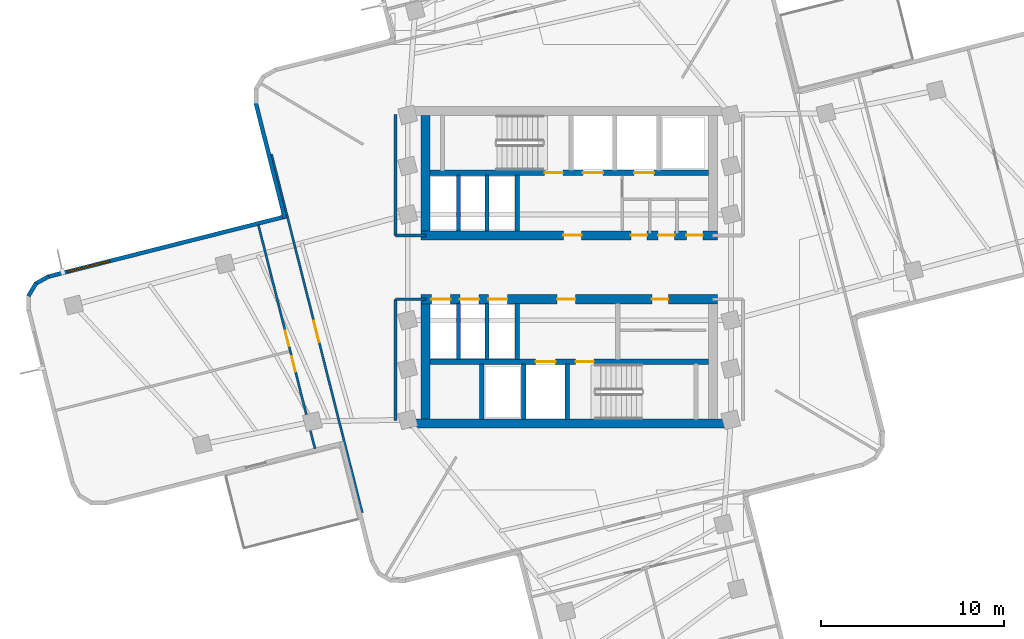
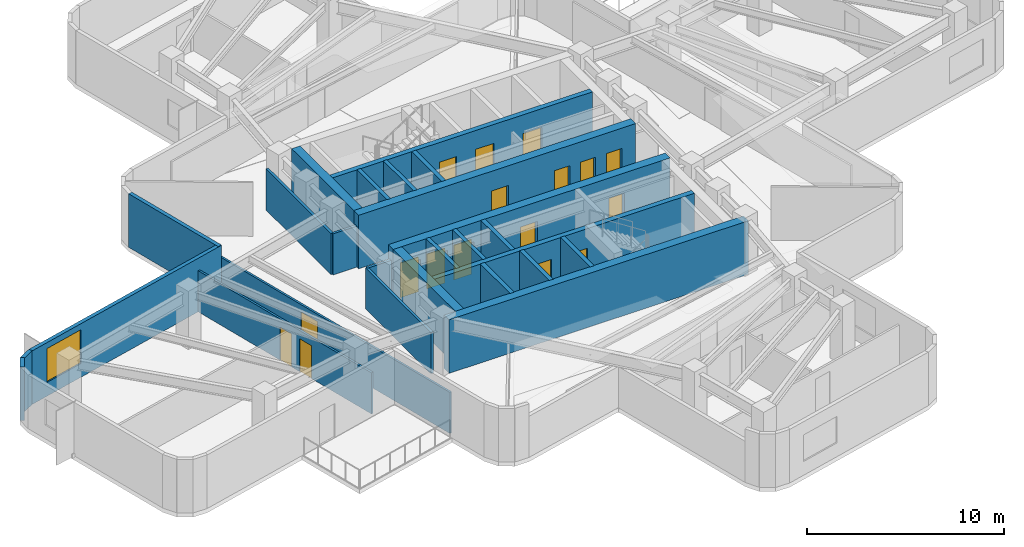
# One storey, part 3 of 9: 26 walls, 17 doors, 1 window, 18 openings.
"""IFC4 building model written with IfcOpenShell, lengths in metres."""

from ifc_helpers import new_model, si_unit, direction, frame, frame_2d, origin, place, context, subcontext, project, spatial, rectangle, extrude, material, layer, layer_set, type_object, element, fill, save


model = new_model("IFC4")

# Units and contexts
model_context = context("Model", 3, precision=1e-05, world=origin(), true_north=direction((0.0, 1.0)))
body_context = subcontext(model_context, "Body", "Model", "MODEL_VIEW")
ifc_project = project(units=[si_unit("LENGTHUNIT", "METRE"), si_unit("AREAUNIT", "SQUARE_METRE"), si_unit("VOLUMEUNIT", "CUBIC_METRE"), si_unit("PLANEANGLEUNIT", "RADIAN"), si_unit("MASSUNIT", "GRAM", prefix="KILO")], contexts=[model_context])

# Site, building, storey
site_placement = place(None, origin())
site = spatial("IfcSite", under=ifc_project, at=site_placement, CompositionType="ELEMENT")
building_placement = place(site_placement, origin())
building = spatial("IfcBuilding", under=site, at=building_placement, Name="Solmarez Civic Tower", CompositionType="ELEMENT")
storey_placement = place(building_placement, frame((0.0, 0.0, 130.679931640625)))
storey = spatial("IfcBuildingStorey", under=building, at=storey_placement, Name="L34", CompositionType="ELEMENT", Elevation=130.679931640625)

# Wall, openings, doors
ifc_material_1 = material(Name="Concrete C60/75", Category="concrete")
ifc_layer_1 = layer(ifc_material_1, 0.5)
ifc_layer_set_1 = layer_set([ifc_layer_1], Name="Concrete C60/75")
wall_type_1 = type_object("IfcWallType", Name="WALL-CORE-500", PredefinedType="SHEAR", material=ifc_layer_set_1)
wall_1_placement = place(storey_placement, frame((8.1201171875, 1.75, 0.0), z_axis=(0.0, 0.0, 1.0), x_axis=(-1.0, 0.0, 0.0)))
wall_1 = element("IfcWall", 1, at=wall_1_placement, inside=storey, type_object=wall_type_1, Name="L34 Split-Core Structural Wall NCW-S-L34", PredefinedType="SHEAR", context=body_context, shape_type="SweptSolid", body=[
    extrude(rectangle(XDim=16.240234375, YDim=0.5, at=frame_2d((8.1201171875, 0.0))), origin(), (0.0, 0.0, 1.0), 3.320068359375),
])
opening_1_placement = place(wall_1_placement, frame((7.449951171875, 0.0, 0.0)))
opening_1 = element("IfcOpeningElement", 2, at=opening_1_placement, cuts=wall_1, Name="Opening D-04", PredefinedType="OPENING", context=body_context, shape_type="SweptSolid", body=[
    extrude(rectangle(XDim=1.0, YDim=2.10009765625, at=frame_2d((0.5, 1.050048828125))), frame((0.0, 0.260009765625, 0.0), z_axis=(0.0, -1.0, 0.0), x_axis=(1.0, 0.0, 0.0)), (0.0, 0.0, 1.0), 0.52001953125),
])
opening_2_placement = place(wall_1_placement, frame((3.85009765625, 0.0, 0.0)))
opening_2 = element("IfcOpeningElement", 3, at=opening_2_placement, cuts=wall_1, Name="Opening D-09", PredefinedType="OPENING", context=body_context, shape_type="SweptSolid", body=[
    extrude(rectangle(XDim=0.89990234375, YDim=2.06005859375, at=frame_2d((0.449951171875, 1.030029296875))), frame((0.0, 0.260009765625, 0.0), z_axis=(0.0, -1.0, 0.0), x_axis=(1.0, 0.0, 0.0)), (0.0, 0.0, 1.0), 0.52001953125),
])
opening_3_placement = place(wall_1_placement, frame((2.35009765625, 0.0, 0.0)))
opening_3 = element("IfcOpeningElement", 4, at=opening_3_placement, cuts=wall_1, Name="Opening D-09", PredefinedType="OPENING", context=body_context, shape_type="SweptSolid", body=[
    extrude(rectangle(XDim=0.89990234375, YDim=2.06005859375, at=frame_2d((0.449951171875, 1.030029296875))), frame((0.0, 0.260009765625, 0.0), z_axis=(0.0, -1.0, 0.0), x_axis=(1.0, 0.0, 0.0)), (0.0, 0.0, 1.0), 0.52001953125),
])
opening_4_placement = place(wall_1_placement, frame((0.800048828125, 0.0, 0.0)))
opening_4 = element("IfcOpeningElement", 5, at=opening_4_placement, cuts=wall_1, Name="Opening D-09", PredefinedType="OPENING", context=body_context, shape_type="SweptSolid", body=[
    extrude(rectangle(XDim=0.89990234375, YDim=2.06005859375, at=frame_2d((0.449951171875, 1.030029296875))), frame((0.0, 0.260009765625, 0.0), z_axis=(0.0, -1.0, 0.0), x_axis=(1.0, 0.0, 0.0)), (0.0, 0.0, 1.0), 0.52001953125),
])
ifc_material_2 = material(Name="Steel-Faced Acoustic Fire Door", Category="steel")
door_type_1 = type_object("IfcDoorType", Name="DOOR-FD60-1000", OperationType="NOTDEFINED", PredefinedType="DOOR", material=ifc_material_2)
door_1_placement = place(opening_1_placement, origin())
door_1 = element("IfcDoor", 6, at=door_1_placement, inside=storey, type_object=door_type_1, Name="L34 North Firefighting Lobby Door", OperationType="SINGLE_SWING_LEFT", OverallHeight=2.10009765625, OverallWidth=1.0, PredefinedType="DOOR", context=body_context, shape_type="SweptSolid", body=[
    extrude(rectangle(XDim=1.0, YDim=2.10009765625, at=frame_2d((0.5, 1.050048828125))), frame((0.0, 0.02490234375, 0.0), z_axis=(0.0, -1.0, 0.0), x_axis=(1.0, 0.0, 0.0)), (0.0, 0.0, 1.0), 0.050048828125),
])
fill(opening_1, door_1)
ifc_material_3 = material(Name="Fire-Rated Service Core Door", Category="wood")
door_type_2 = type_object("IfcDoorType", Name="DOOR-FD60-900", OperationType="NOTDEFINED", PredefinedType="DOOR", material=ifc_material_3)
door_2_placement = place(opening_2_placement, origin())
door_2 = element("IfcDoor", 7, at=door_2_placement, inside=storey, type_object=door_type_2, Name="L34 Core WC Door", OperationType="SINGLE_SWING_RIGHT", OverallHeight=2.06005859375, OverallWidth=0.89990234375, PredefinedType="DOOR", context=body_context, shape_type="SweptSolid", body=[
    extrude(rectangle(XDim=0.89990234375, YDim=2.06005859375, at=frame_2d((0.449951171875, 1.030029296875))), frame((0.0, 0.02490234375, 0.0), z_axis=(0.0, -1.0, 0.0), x_axis=(1.0, 0.0, 0.0)), (0.0, 0.0, 1.0), 0.050048828125),
])
fill(opening_2, door_2)
door_3_placement = place(opening_3_placement, origin())
door_3 = element("IfcDoor", 8, at=door_3_placement, inside=storey, type_object=door_type_2, Name="L34 Core CL Door", OperationType="SINGLE_SWING_LEFT", OverallHeight=2.06005859375, OverallWidth=0.89990234375, PredefinedType="DOOR", context=body_context, shape_type="SweptSolid", body=[
    extrude(rectangle(XDim=0.89990234375, YDim=2.06005859375, at=frame_2d((0.449951171875, 1.030029296875))), frame((0.0, 0.02490234375, 0.0), z_axis=(0.0, -1.0, 0.0), x_axis=(1.0, 0.0, 0.0)), (0.0, 0.0, 1.0), 0.050048828125),
])
fill(opening_3, door_3)
door_4_placement = place(opening_4_placement, origin())
door_4 = element("IfcDoor", 9, at=door_4_placement, inside=storey, type_object=door_type_2, Name="L34 Core IT Door", OperationType="SINGLE_SWING_LEFT", OverallHeight=2.06005859375, OverallWidth=0.89990234375, PredefinedType="DOOR", context=body_context, shape_type="SweptSolid", body=[
    extrude(rectangle(XDim=0.89990234375, YDim=2.06005859375, at=frame_2d((0.449951171875, 1.030029296875))), frame((0.0, 0.02490234375, 0.0), z_axis=(0.0, -1.0, 0.0), x_axis=(1.0, 0.0, 0.0)), (0.0, 0.0, 1.0), 0.050048828125),
])
fill(opening_4, door_4)

# Walls
wall_2_placement = place(storey_placement, frame((-7.8701171875, 2.0, 0.0), z_axis=(0.0, 0.0, 1.0), x_axis=(0.0, 1.0, 0.0)))
element("IfcWall", 10, at=wall_2_placement, inside=storey, type_object=wall_type_1, Name="L34 Split-Core Structural Wall NCW-W-L34", PredefinedType="SHEAR", context=body_context, shape_type="SweptSolid", body=[
    extrude(rectangle(XDim=6.31005859375, YDim=0.5, at=frame_2d((3.155029296875, 0.0))), origin(), (0.0, 0.0, 1.0), 3.320068359375),
])
wall_3_placement = place(storey_placement, frame((8.780029296875, -8.56005859375, 0.0), z_axis=(0.0, 0.0, 1.0), x_axis=(-1.0, 0.0, 0.0)))
element("IfcWall", 11, at=wall_3_placement, inside=storey, type_object=wall_type_1, Name="L34 Split-Core Structural Wall SCW-S-L34", PredefinedType="SHEAR", context=body_context, shape_type="SweptSolid", body=[
    extrude(rectangle(XDim=17.56005859375, YDim=0.5, at=frame_2d((8.780029296875, 0.0))), origin(), (0.0, 0.0, 1.0), 3.320068359375),
])

# Wall, openings, doors
wall_4_placement = place(storey_placement, frame((-8.1201171875, -1.75, 0.0), z_axis=(0.0, 0.0, 1.0), x_axis=(1.0, 0.0, 0.0)))
wall_4 = element("IfcWall", 12, at=wall_4_placement, inside=storey, type_object=wall_type_1, Name="L34 Split-Core Structural Wall SCW-N-L34", PredefinedType="SHEAR", context=body_context, shape_type="SweptSolid", body=[
    extrude(rectangle(XDim=16.240234375, YDim=0.5, at=frame_2d((8.1201171875, 0.0))), origin(), (0.0, 0.0, 1.0), 3.320068359375),
])
opening_5_placement = place(wall_4_placement, frame((7.449951171875, 0.0, 0.0)))
opening_5 = element("IfcOpeningElement", 13, at=opening_5_placement, cuts=wall_4, Name="Opening D-04", PredefinedType="OPENING", context=body_context, shape_type="SweptSolid", body=[
    extrude(rectangle(XDim=1.0, YDim=2.10009765625, at=frame_2d((0.5, 1.050048828125))), frame((0.0, 0.260009765625, 0.0), z_axis=(0.0, -1.0, 0.0), x_axis=(1.0, 0.0, 0.0)), (0.0, 0.0, 1.0), 0.52001953125),
])
opening_6_placement = place(wall_4_placement, frame((12.64990234375, 0.0, 0.0)))
opening_6 = element("IfcOpeningElement", 14, at=opening_6_placement, cuts=wall_4, Name="Opening D-09", PredefinedType="OPENING", context=body_context, shape_type="SweptSolid", body=[
    extrude(rectangle(XDim=0.89990234375, YDim=2.06005859375, at=frame_2d((0.449951171875, 1.030029296875))), frame((0.0, 0.260009765625, 0.0), z_axis=(0.0, -1.0, 0.0), x_axis=(1.0, 0.0, 0.0)), (0.0, 0.0, 1.0), 0.52001953125),
])
opening_7_placement = place(wall_4_placement, frame((0.56494140625, 0.0, 0.0)))
opening_7 = element("IfcOpeningElement", 15, at=opening_7_placement, cuts=wall_4, Name="Opening LD-01", PredefinedType="OPENING", context=body_context, shape_type="SweptSolid", body=[
    extrude(rectangle(XDim=1.050048828125, YDim=2.14990234375, at=frame_2d((0.52490234375, 1.074951171875))), frame((0.0, 0.260009765625, 0.0), z_axis=(0.0, -1.0, 0.0), x_axis=(1.0, 0.0, 0.0)), (0.0, 0.0, 1.0), 0.52001953125),
])
opening_8_placement = place(wall_4_placement, frame((2.125, 0.0, 0.0)))
opening_8 = element("IfcOpeningElement", 16, at=opening_8_placement, cuts=wall_4, Name="Opening LD-01", PredefinedType="OPENING", context=body_context, shape_type="SweptSolid", body=[
    extrude(rectangle(XDim=1.050048828125, YDim=2.14990234375, at=frame_2d((0.52490234375, 1.074951171875))), frame((0.0, 0.260009765625, 0.0), z_axis=(0.0, -1.0, 0.0), x_axis=(1.0, 0.0, 0.0)), (0.0, 0.0, 1.0), 0.52001953125),
])
opening_9_placement = place(wall_4_placement, frame((3.68505859375, 0.0, 0.0)))
opening_9 = element("IfcOpeningElement", 17, at=opening_9_placement, cuts=wall_4, Name="Opening LD-01", PredefinedType="OPENING", context=body_context, shape_type="SweptSolid", body=[
    extrude(rectangle(XDim=1.050048828125, YDim=2.14990234375, at=frame_2d((0.52490234375, 1.074951171875))), frame((0.0, 0.260009765625, 0.0), z_axis=(0.0, -1.0, 0.0), x_axis=(1.0, 0.0, 0.0)), (0.0, 0.0, 1.0), 0.52001953125),
])
door_5_placement = place(opening_5_placement, origin())
door_5 = element("IfcDoor", 18, at=door_5_placement, inside=storey, type_object=door_type_1, Name="L34 South Firefighting Lobby Door", OperationType="SINGLE_SWING_RIGHT", OverallHeight=2.10009765625, OverallWidth=1.0, PredefinedType="DOOR", context=body_context, shape_type="SweptSolid", body=[
    extrude(rectangle(XDim=1.0, YDim=2.10009765625, at=frame_2d((0.5, 1.050048828125))), frame((0.0, 0.02490234375, 0.0), z_axis=(0.0, -1.0, 0.0), x_axis=(1.0, 0.0, 0.0)), (0.0, 0.0, 1.0), 0.050048828125),
])
fill(opening_5, door_5)
door_6_placement = place(opening_6_placement, origin())
door_6 = element("IfcDoor", 19, at=door_6_placement, inside=storey, type_object=door_type_2, Name="L34 Freed Hoistway Mailroom Door", OperationType="SINGLE_SWING_LEFT", OverallHeight=2.06005859375, OverallWidth=0.89990234375, PredefinedType="DOOR", context=body_context, shape_type="SweptSolid", body=[
    extrude(rectangle(XDim=0.89990234375, YDim=2.06005859375, at=frame_2d((0.449951171875, 1.030029296875))), frame((0.0, 0.02490234375, 0.0), z_axis=(0.0, -1.0, 0.0), x_axis=(1.0, 0.0, 0.0)), (0.0, 0.0, 1.0), 0.050048828125),
])
fill(opening_6, door_6)
ifc_material_4 = material(Name="Bronze Passenger Lift Landing Sliding Door", Category="aluminium")
door_type_3 = type_object("IfcDoorType", Name="DOOR-LD-PAX-1050", OperationType="DOUBLE_DOOR_SLIDING", PredefinedType="DOOR", material=ifc_material_4)
door_7_placement = place(opening_7_placement, origin())
door_7 = element("IfcDoor", 20, at=door_7_placement, inside=storey, type_object=door_type_3, Name="L34 Mid-Rise Lift Landing Door PL-M1", OperationType="DOUBLE_DOOR_SLIDING", OverallHeight=2.14990234375, OverallWidth=1.050048828125, PredefinedType="DOOR", context=body_context, shape_type="SweptSolid", body=[
    extrude(rectangle(XDim=1.050048828125, YDim=2.14990234375, at=frame_2d((0.52490234375, 1.074951171875))), frame((0.0, 0.02490234375, 0.0), z_axis=(0.0, -1.0, 0.0), x_axis=(1.0, 0.0, 0.0)), (0.0, 0.0, 1.0), 0.050048828125),
])
fill(opening_7, door_7)
door_8_placement = place(opening_8_placement, origin())
door_8 = element("IfcDoor", 21, at=door_8_placement, inside=storey, type_object=door_type_3, Name="L34 Mid-Rise Lift Landing Door PL-M2", OperationType="DOUBLE_DOOR_SLIDING", OverallHeight=2.14990234375, OverallWidth=1.050048828125, PredefinedType="DOOR", context=body_context, shape_type="SweptSolid", body=[
    extrude(rectangle(XDim=1.050048828125, YDim=2.14990234375, at=frame_2d((0.52490234375, 1.074951171875))), frame((0.0, 0.02490234375, 0.0), z_axis=(0.0, -1.0, 0.0), x_axis=(1.0, 0.0, 0.0)), (0.0, 0.0, 1.0), 0.050048828125),
])
fill(opening_8, door_8)
door_9_placement = place(opening_9_placement, origin())
door_9 = element("IfcDoor", 22, at=door_9_placement, inside=storey, type_object=door_type_3, Name="L34 Mid-Rise Lift Landing Door PL-M3", OperationType="DOUBLE_DOOR_SLIDING", OverallHeight=2.14990234375, OverallWidth=1.050048828125, PredefinedType="DOOR", context=body_context, shape_type="SweptSolid", body=[
    extrude(rectangle(XDim=1.050048828125, YDim=2.14990234375, at=frame_2d((0.52490234375, 1.074951171875))), frame((0.0, 0.02490234375, 0.0), z_axis=(0.0, -1.0, 0.0), x_axis=(1.0, 0.0, 0.0)), (0.0, 0.0, 1.0), 0.050048828125),
])
fill(opening_9, door_9)

# Walls
wall_5_placement = place(storey_placement, frame((-7.8701171875, -8.31005859375, 0.0), z_axis=(0.0, 0.0, 1.0), x_axis=(0.0, 1.0, 0.0)))
element("IfcWall", 23, at=wall_5_placement, inside=storey, type_object=wall_type_1, Name="L34 Split-Core Structural Wall SCW-W-L34", PredefinedType="SHEAR", context=body_context, shape_type="SweptSolid", body=[
    extrude(rectangle(XDim=6.31005859375, YDim=0.5, at=frame_2d((3.155029296875, 0.0))), origin(), (0.0, 0.0, 1.0), 3.320068359375),
])
ifc_material_5 = material(Name="Precast concrete C40/50", Category="concrete")
ifc_layer_2 = layer(ifc_material_5, 0.219970703125)
ifc_layer_set_2 = layer_set([ifc_layer_2], Name="Precast concrete C40/50")
wall_type_2 = type_object("IfcWallType", Name="WALL-EXT-220", PredefinedType="SOLIDWALL", material=ifc_layer_set_2)
wall_6_placement = place(storey_placement, frame((-29.625, -1.569091796875, 0.0), z_axis=(0.0, 0.0, 1.0), x_axis=(0.513266477087, 0.858229295409, 0.0)))
element("IfcWall", 24, at=wall_6_placement, inside=storey, type_object=wall_type_2, Name="L34 Exterior Precast Wall 8", PredefinedType="SOLIDWALL", context=body_context, shape_type="SweptSolid", body=[
    extrude(rectangle(XDim=0.818115234375, YDim=0.219970703125, at=frame_2d((0.4091796875, 0.0))), origin(), (0.0, 0.0, 1.0), 3.320068359375),
])
wall_7_placement = place(storey_placement, frame((-29.239990234375, -0.89990234375, 0.0), z_axis=(0.0, 0.0, 1.0), x_axis=(0.873148499647, 0.487454303052, 0.0)))
element("IfcWall", 25, at=wall_7_placement, inside=storey, type_object=wall_type_2, Name="L34 Exterior Precast Wall 9", PredefinedType="SOLIDWALL", context=body_context, shape_type="SweptSolid", body=[
    extrude(rectangle(XDim=0.8349609375, YDim=0.219970703125, at=frame_2d((0.41748046875, 0.0))), origin(), (0.0, 0.0, 1.0), 3.320068359375),
])

# Wall, opening, window
wall_8_placement = place(storey_placement, frame((-28.556884765625, -0.510986328125, 0.0), z_axis=(0.0, 0.0, 1.0), x_axis=(0.969429758912, 0.245368992613, 0.0)))
wall_8 = element("IfcWall", 26, at=wall_8_placement, inside=storey, type_object=wall_type_2, Name="L34 Exterior Precast Wall 10", PredefinedType="SOLIDWALL", context=body_context, shape_type="SweptSolid", body=[
    extrude(rectangle(XDim=13.457275390625, YDim=0.219970703125, at=frame_2d((6.728515625, 0.0))), origin(), (0.0, 0.0, 1.0), 3.320068359375),
])
opening_10_placement = place(wall_8_placement, frame((1.10009765625, 0.0, 0.85009765625)))
opening_10 = element("IfcOpeningElement", 27, at=opening_10_placement, cuts=wall_8, Name="Opening W-02", PredefinedType="OPENING", context=body_context, shape_type="SweptSolid", body=[
    extrude(rectangle(XDim=2.39990234375, YDim=2.10009765625, at=frame_2d((1.199951171875, 1.050048828125))), frame((0.0, 0.119873046875, 0.0), z_axis=(0.0, -1.0, 0.0), x_axis=(1.0, 0.0, 0.0)), (0.0, 0.0, 1.0), 0.239990234375),
])
ifc_material_6 = material(Name="Solar Control Bronze-Tinted Insulating Glass", Category="glass")
window_type = type_object("IfcWindowType", Name="WIN-2400X2100", PartitioningType="SINGLE_PANEL", PredefinedType="WINDOW", material=ifc_material_6)
window_placement = place(opening_10_placement, origin())
window = element("IfcWindow", 28, at=window_placement, inside=storey, type_object=window_type, Name="L34 Exterior Facade Window 10", OverallHeight=2.10009765625, OverallWidth=2.39990234375, PartitioningType="SINGLE_PANEL", PredefinedType="WINDOW", context=body_context, shape_type="SweptSolid", body=[
    extrude(rectangle(XDim=2.39990234375, YDim=2.10009765625, at=frame_2d((1.199951171875, 1.050048828125))), frame((0.0, 0.030029296875, 0.0), z_axis=(0.0, -1.0, 0.0), x_axis=(1.0, 0.0, 0.0)), (0.0, 0.0, 1.0), 0.06005859375),
])
fill(opening_10, window)

# Walls
wall_9_placement = place(storey_placement, frame((-15.573974609375, 2.68408203125, 0.0), z_axis=(0.0, 0.0, 1.0), x_axis=(-0.245346347134, 0.969435490349, 0.0)))
element("IfcWall", 29, at=wall_9_placement, inside=storey, type_object=wall_type_2, Name="L34 Exterior Precast Wall 13", PredefinedType="SOLIDWALL", context=body_context, shape_type="SweptSolid", body=[
    extrude(rectangle(XDim=6.53759765625, YDim=0.219970703125, at=frame_2d((3.268798828125, 0.0))), origin(), (0.0, 0.0, 1.0), 3.320068359375),
])
ifc_material_7 = material(Name="Gypsum Board Acoustic Steel-Stud Partition", Category="steel")
ifc_layer_3 = layer(ifc_material_7, 0.14990234375)
ifc_layer_set_3 = layer_set([ifc_layer_3], Name="Gypsum Board Acoustic Steel-Stud Partition")
wall_type_3 = type_object("IfcWallType", Name="WALL-INT-FIRE-150", PredefinedType="PARTITIONING", material=ifc_layer_set_3)
wall_10_placement = place(storey_placement, frame((-9.52001953125, 1.75, 0.0), z_axis=(0.0, 0.0, 1.0), x_axis=(0.0, 1.0, 0.0)))
element("IfcWall", 30, at=wall_10_placement, inside=storey, type_object=wall_type_3, Name="L34 Interior Partition CHW-L34-WN1", PredefinedType="PARTITIONING", context=body_context, shape_type="SweptSolid", body=[
    extrude(rectangle(XDim=6.6298828125, YDim=0.14990234375, at=frame_2d((3.31494140625, 0.0))), origin(), (0.0, 0.0, 1.0), 2.550048828125),
])
wall_11_placement = place(storey_placement, frame((-7.85009765625, 1.75, 0.0), z_axis=(0.0, 0.0, 1.0), x_axis=(-1.0, 0.0, 0.0)))
element("IfcWall", 31, at=wall_11_placement, inside=storey, type_object=wall_type_3, Name="L34 Interior Partition CHW-L34-WN3", PredefinedType="PARTITIONING", context=body_context, shape_type="SweptSolid", body=[
    extrude(rectangle(XDim=1.669921875, YDim=0.14990234375, at=frame_2d((0.8349609375, 0.0))), origin(), (0.0, 0.0, 1.0), 2.550048828125),
])
wall_12_placement = place(storey_placement, frame((-9.52001953125, -8.3798828125, 0.0), z_axis=(0.0, 0.0, 1.0), x_axis=(0.0, 1.0, 0.0)))
element("IfcWall", 32, at=wall_12_placement, inside=storey, type_object=wall_type_3, Name="L34 Interior Partition CHW-L34-WS1", PredefinedType="PARTITIONING", context=body_context, shape_type="SweptSolid", body=[
    extrude(rectangle(XDim=6.6298828125, YDim=0.14990234375, at=frame_2d((3.31494140625, 0.0))), origin(), (0.0, 0.0, 1.0), 2.550048828125),
])
wall_13_placement = place(storey_placement, frame((-7.85009765625, -1.75, 0.0), z_axis=(0.0, 0.0, 1.0), x_axis=(-1.0, 0.0, 0.0)))
element("IfcWall", 33, at=wall_13_placement, inside=storey, type_object=wall_type_3, Name="L34 Interior Partition CHW-L34-WS3", PredefinedType="PARTITIONING", context=body_context, shape_type="SweptSolid", body=[
    extrude(rectangle(XDim=1.669921875, YDim=0.14990234375, at=frame_2d((0.8349609375, 0.0))), origin(), (0.0, 0.0, 1.0), 2.550048828125),
])

# Wall, opening, door
ifc_layer_4 = layer(ifc_material_7, 0.1201171875)
ifc_layer_set_4 = layer_set([ifc_layer_4], Name="Gypsum Board Acoustic Steel-Stud Partition")
wall_type_4 = type_object("IfcWallType", Name="WALL-INT-PART-120", PredefinedType="PARTITIONING", material=ifc_layer_set_4)
wall_14_placement = place(storey_placement, frame((-11.342041015625, -13.43310546875, 0.0), z_axis=(0.0, 0.0, 1.0), x_axis=(-0.24525085526, 0.969459652587, 0.0)))
wall_14 = element("IfcWall", 34, at=wall_14_placement, inside=storey, type_object=wall_type_4, Name="L34 Interior Partition PT-L34-W-ENT", PredefinedType="PARTITIONING", context=body_context, shape_type="SweptSolid", body=[
    extrude(rectangle(XDim=20.2607421875, YDim=0.1201171875, at=frame_2d((10.13037109375, 0.0))), origin(), (0.0, 0.0, 1.0), 2.550048828125),
])
opening_11_placement = place(wall_14_placement, frame((9.639892578125, 0.0, 0.0)))
opening_11 = element("IfcOpeningElement", 35, at=opening_11_placement, cuts=wall_14, Name="Opening D-11", PredefinedType="OPENING", context=body_context, shape_type="SweptSolid", body=[
    extrude(rectangle(XDim=1.199951171875, YDim=2.10009765625, at=frame_2d((0.60009765625, 1.050048828125))), frame((0.0, 0.070068359375, 0.0), z_axis=(0.0, -1.0, 0.0), x_axis=(1.0, 0.0, 0.0)), (0.0, 0.0, 1.0), 0.14013671875),
])
ifc_material_8 = material(Name="Glazed-Vision Acoustic Chamber Door", Category="wood")
door_type_4 = type_object("IfcDoorType", Name="DOOR-INT-1200", OperationType="NOTDEFINED", PredefinedType="DOOR", material=ifc_material_8)
door_10_placement = place(opening_11_placement, origin())
door_10 = element("IfcDoor", 36, at=door_10_placement, inside=storey, type_object=door_type_4, Name="L34 Policy Boardroom First West Door", OperationType="SINGLE_SWING_LEFT", OverallHeight=2.10009765625, OverallWidth=1.199951171875, PredefinedType="DOOR", context=body_context, shape_type="SweptSolid", body=[
    extrude(rectangle(XDim=1.199951171875, YDim=2.10009765625, at=frame_2d((0.60009765625, 1.050048828125))), frame((0.0, 0.02490234375, 0.0), z_axis=(0.0, -1.0, 0.0), x_axis=(1.0, 0.0, 0.0)), (0.0, 0.0, 1.0), 0.050048828125),
])
fill(opening_11, door_10)

# Wall, openings, doors
wall_15_placement = place(storey_placement, frame((-17.031982421875, 2.327880859375, 0.0), z_axis=(0.0, 0.0, 1.0), x_axis=(0.245381918011, -0.969426487318, 0.0)))
wall_15 = element("IfcWall", 37, at=wall_15_placement, inside=storey, type_object=wall_type_4, Name="L34 Interior Partition PT-L34-W-SCUT", PredefinedType="PARTITIONING", context=body_context, shape_type="SweptSolid", body=[
    extrude(rectangle(XDim=12.649658203125, YDim=0.1201171875, at=frame_2d((6.32470703125, 0.0))), origin(), (0.0, 0.0, 1.0), 2.550048828125),
])
opening_12_placement = place(wall_15_placement, frame((5.985107421875, 0.0, 0.0)))
opening_12 = element("IfcOpeningElement", 38, at=opening_12_placement, cuts=wall_15, Name="Opening D-14", PredefinedType="OPENING", context=body_context, shape_type="SweptSolid", body=[
    extrude(rectangle(XDim=0.860107421875, YDim=2.0400390625, at=frame_2d((0.43017578125, 1.02001953125))), frame((0.0, 0.070068359375, 0.0), z_axis=(0.0, -1.0, 0.0), x_axis=(1.0, 0.0, 0.0)), (0.0, 0.0, 1.0), 0.14013671875),
])
opening_13_placement = place(wall_15_placement, frame((7.425048828125, 0.0, 0.0)))
opening_13 = element("IfcOpeningElement", 39, at=opening_13_placement, cuts=wall_15, Name="Opening D-14", PredefinedType="OPENING", context=body_context, shape_type="SweptSolid", body=[
    extrude(rectangle(XDim=0.860107421875, YDim=2.0400390625, at=frame_2d((0.43017578125, 1.02001953125))), frame((0.0, 0.070068359375, 0.0), z_axis=(0.0, -1.0, 0.0), x_axis=(1.0, 0.0, 0.0)), (0.0, 0.0, 1.0), 0.14013671875),
])
ifc_material_9 = material(Name="Timber Storage and Pantry Door", Category="wood")
door_type_5 = type_object("IfcDoorType", Name="DOOR-INT-850", OperationType="NOTDEFINED", PredefinedType="DOOR", material=ifc_material_9)
door_11_placement = place(opening_12_placement, origin())
door_11 = element("IfcDoor", 40, at=door_11_placement, inside=storey, type_object=door_type_5, Name="L34 Directorate Office Third West Door", OperationType="SINGLE_SWING_RIGHT", OverallHeight=2.0400390625, OverallWidth=0.860107421875, PredefinedType="DOOR", context=body_context, shape_type="SweptSolid", body=[
    extrude(rectangle(XDim=0.860107421875, YDim=2.0400390625, at=frame_2d((0.43017578125, 1.02001953125))), frame((0.0, 0.02490234375, 0.0), z_axis=(0.0, -1.0, 0.0), x_axis=(1.0, 0.0, 0.0)), (0.0, 0.0, 1.0), 0.050048828125),
])
fill(opening_12, door_11)
door_12_placement = place(opening_13_placement, origin())
door_12 = element("IfcDoor", 41, at=door_12_placement, inside=storey, type_object=door_type_5, Name="L34 Ministry Open Workspace Second West Door", OperationType="SINGLE_SWING_LEFT", OverallHeight=2.0400390625, OverallWidth=0.860107421875, PredefinedType="DOOR", context=body_context, shape_type="SweptSolid", body=[
    extrude(rectangle(XDim=0.860107421875, YDim=2.0400390625, at=frame_2d((0.43017578125, 1.02001953125))), frame((0.0, 0.02490234375, 0.0), z_axis=(0.0, -1.0, 0.0), x_axis=(1.0, 0.0, 0.0)), (0.0, 0.0, 1.0), 0.050048828125),
])
fill(opening_13, door_12)

ifc_material_10 = material(Name="Concrete C50/60", Category="concrete")
ifc_layer_5 = layer(ifc_material_10, 0.300048828125)
ifc_layer_set_5 = layer_set([ifc_layer_5], Name="Concrete C50/60")
wall_type_5 = type_object("IfcWallType", Name="WALL-STR-300", PredefinedType="SOLIDWALL", material=ifc_layer_set_5)
wall_16_placement = place(storey_placement, frame((7.6201171875, 5.179931640625, 0.0), z_axis=(0.0, 0.0, 1.0), x_axis=(-1.0, 0.0, 0.0)))
wall_16 = element("IfcWall", 42, at=wall_16_placement, inside=storey, type_object=wall_type_5, Name="L34 Split-Core Structural Wall NCW-M-L34", PredefinedType="SOLIDWALL", context=body_context, shape_type="SweptSolid", body=[
    extrude(rectangle(XDim=15.240234375, YDim=0.300048828125, at=frame_2d((7.6201171875, 0.0))), origin(), (0.0, 0.0, 1.0), 3.320068359375),
])
opening_14_placement = place(wall_16_placement, frame((5.77001953125, 0.0, 0.0)))
opening_14 = element("IfcOpeningElement", 43, at=opening_14_placement, cuts=wall_16, Name="Opening LD-02", PredefinedType="OPENING", context=body_context, shape_type="SweptSolid", body=[
    extrude(rectangle(XDim=1.10009765625, YDim=2.14990234375, at=frame_2d((0.550048828125, 1.074951171875))), frame((0.0, 0.159912109375, 0.0), z_axis=(0.0, -1.0, 0.0), x_axis=(1.0, 0.0, 0.0)), (0.0, 0.0, 1.0), 0.320068359375),
])
opening_15_placement = place(wall_16_placement, frame((2.969970703125, 0.0, 0.0)))
opening_15 = element("IfcOpeningElement", 44, at=opening_15_placement, cuts=wall_16, Name="Opening LD-03", PredefinedType="OPENING", context=body_context, shape_type="SweptSolid", body=[
    extrude(rectangle(XDim=1.10009765625, YDim=2.14990234375, at=frame_2d((0.550048828125, 1.074951171875))), frame((0.0, 0.159912109375, 0.0), z_axis=(0.0, -1.0, 0.0), x_axis=(1.0, 0.0, 0.0)), (0.0, 0.0, 1.0), 0.320068359375),
])
opening_16_placement = place(wall_16_placement, frame((7.969970703125, 0.0, 0.0)))
opening_16 = element("IfcOpeningElement", 45, at=opening_16_placement, cuts=wall_16, Name="Opening D-05", PredefinedType="OPENING", context=body_context, shape_type="SweptSolid", body=[
    extrude(rectangle(XDim=1.0, YDim=2.10009765625, at=frame_2d((0.5, 1.050048828125))), frame((0.0, 0.159912109375, 0.0), z_axis=(0.0, -1.0, 0.0), x_axis=(1.0, 0.0, 0.0)), (0.0, 0.0, 1.0), 0.320068359375),
])
ifc_material_11 = material(Name="Fire-Rated Stairwell Exit Door", Category="wood")
door_type_6 = type_object("IfcDoorType", Name="DOOR-FD90-1000", OperationType="NOTDEFINED", PredefinedType="DOOR", material=ifc_material_11)
door_13_placement = place(opening_16_placement, origin())
door_13 = element("IfcDoor", 46, at=door_13_placement, inside=storey, type_object=door_type_6, Name="L34 North Exit Stair Door ST-1", OperationType="SINGLE_SWING_LEFT", OverallHeight=2.10009765625, OverallWidth=1.0, PredefinedType="DOOR", context=body_context, shape_type="SweptSolid", body=[
    extrude(rectangle(XDim=1.0, YDim=2.10009765625, at=frame_2d((0.5, 1.050048828125))), frame((0.0, 0.02490234375, 0.0), z_axis=(0.0, -1.0, 0.0), x_axis=(1.0, 0.0, 0.0)), (0.0, 0.0, 1.0), 0.050048828125),
])
fill(opening_16, door_13)
ifc_material_12 = material(Name="Stainless Firefighting Lift Landing Sliding Door", Category="aluminium")
door_type_7 = type_object("IfcDoorType", Name="DOOR-LD-FF-1100", OperationType="DOUBLE_DOOR_SLIDING", PredefinedType="DOOR", material=ifc_material_12)
door_14_placement = place(opening_14_placement, origin())
door_14 = element("IfcDoor", 47, at=door_14_placement, inside=storey, type_object=door_type_7, Name="L34 Firefighting Lift Landing Door FFL-1", OperationType="DOUBLE_DOOR_SLIDING", OverallHeight=2.14990234375, OverallWidth=1.10009765625, PredefinedType="DOOR", context=body_context, shape_type="SweptSolid", body=[
    extrude(rectangle(XDim=1.10009765625, YDim=2.14990234375, at=frame_2d((0.550048828125, 1.074951171875))), frame((0.0, 0.02490234375, 0.0), z_axis=(0.0, -1.0, 0.0), x_axis=(1.0, 0.0, 0.0)), (0.0, 0.0, 1.0), 0.050048828125),
])
fill(opening_14, door_14)
ifc_material_13 = material(Name="Stainless Stretcher Lift Landing Sliding Door", Category="aluminium")
door_type_8 = type_object("IfcDoorType", Name="DOOR-LD-SV-1100", OperationType="DOUBLE_DOOR_SLIDING", PredefinedType="DOOR", material=ifc_material_13)
door_15_placement = place(opening_15_placement, origin())
door_15 = element("IfcDoor", 48, at=door_15_placement, inside=storey, type_object=door_type_8, Name="L34 Service Stretcher Lift Landing Door SVL-1", OperationType="DOUBLE_DOOR_SLIDING", OverallHeight=2.14990234375, OverallWidth=1.10009765625, PredefinedType="DOOR", context=body_context, shape_type="SweptSolid", body=[
    extrude(rectangle(XDim=1.10009765625, YDim=2.14990234375, at=frame_2d((0.550048828125, 1.074951171875))), frame((0.0, 0.02490234375, 0.0), z_axis=(0.0, -1.0, 0.0), x_axis=(1.0, 0.0, 0.0)), (0.0, 0.0, 1.0), 0.050048828125),
])
fill(opening_15, door_15)

wall_17_placement = place(storey_placement, frame((-7.6201171875, -5.179931640625, 0.0), z_axis=(0.0, 0.0, 1.0), x_axis=(1.0, 0.0, 0.0)))
wall_17 = element("IfcWall", 49, at=wall_17_placement, inside=storey, type_object=wall_type_5, Name="L34 Split-Core Structural Wall SCW-M-L34", PredefinedType="SOLIDWALL", context=body_context, shape_type="SweptSolid", body=[
    extrude(rectangle(XDim=15.240234375, YDim=0.300048828125, at=frame_2d((7.6201171875, 0.0))), origin(), (0.0, 0.0, 1.0), 3.320068359375),
])
opening_17_placement = place(wall_17_placement, frame((5.77001953125, 0.0, 0.0)))
opening_17 = element("IfcOpeningElement", 50, at=opening_17_placement, cuts=wall_17, Name="Opening LD-02", PredefinedType="OPENING", context=body_context, shape_type="SweptSolid", body=[
    extrude(rectangle(XDim=1.10009765625, YDim=2.14990234375, at=frame_2d((0.550048828125, 1.074951171875))), frame((0.0, 0.159912109375, 0.0), z_axis=(0.0, -1.0, 0.0), x_axis=(1.0, 0.0, 0.0)), (0.0, 0.0, 1.0), 0.320068359375),
])
opening_18_placement = place(wall_17_placement, frame((7.969970703125, 0.0, 0.0)))
opening_18 = element("IfcOpeningElement", 51, at=opening_18_placement, cuts=wall_17, Name="Opening D-05", PredefinedType="OPENING", context=body_context, shape_type="SweptSolid", body=[
    extrude(rectangle(XDim=1.0, YDim=2.10009765625, at=frame_2d((0.5, 1.050048828125))), frame((0.0, 0.159912109375, 0.0), z_axis=(0.0, -1.0, 0.0), x_axis=(1.0, 0.0, 0.0)), (0.0, 0.0, 1.0), 0.320068359375),
])
door_16_placement = place(opening_18_placement, origin())
door_16 = element("IfcDoor", 52, at=door_16_placement, inside=storey, type_object=door_type_6, Name="L34 South Exit Stair Door ST-2", OperationType="SINGLE_SWING_RIGHT", OverallHeight=2.10009765625, OverallWidth=1.0, PredefinedType="DOOR", context=body_context, shape_type="SweptSolid", body=[
    extrude(rectangle(XDim=1.0, YDim=2.10009765625, at=frame_2d((0.5, 1.050048828125))), frame((0.0, 0.02490234375, 0.0), z_axis=(0.0, -1.0, 0.0), x_axis=(1.0, 0.0, 0.0)), (0.0, 0.0, 1.0), 0.050048828125),
])
fill(opening_18, door_16)
door_17_placement = place(opening_17_placement, origin())
door_17 = element("IfcDoor", 53, at=door_17_placement, inside=storey, type_object=door_type_7, Name="L34 Firefighting Lift Landing Door FFL-2", OperationType="DOUBLE_DOOR_SLIDING", OverallHeight=2.14990234375, OverallWidth=1.10009765625, PredefinedType="DOOR", context=body_context, shape_type="SweptSolid", body=[
    extrude(rectangle(XDim=1.10009765625, YDim=2.14990234375, at=frame_2d((0.550048828125, 1.074951171875))), frame((0.0, 0.02490234375, 0.0), z_axis=(0.0, -1.0, 0.0), x_axis=(1.0, 0.0, 0.0)), (0.0, 0.0, 1.0), 0.050048828125),
])
fill(opening_17, door_17)

# Walls
wall_18_placement = place(storey_placement, frame((-2.85009765625, 1.97998046875, 0.0), z_axis=(0.0, 0.0, 1.0), x_axis=(0.0, 1.0, 0.0)))
element("IfcWall", 54, at=wall_18_placement, inside=storey, type_object=wall_type_5, Name="L34 Split-Core Structural Wall SHW-NL1-L34", PredefinedType="SOLIDWALL", context=body_context, shape_type="SweptSolid", body=[
    extrude(rectangle(XDim=3.070068359375, YDim=0.25, at=frame_2d((1.53515625, 0.0))), origin(), (0.0, 0.0, 1.0), 3.320068359375),
])
for number, where, z_axis, x_axis, name in (
    (55, (-0.10009765625, -8.340087890625, 0.0), (0.0, 0.0, 1.0), (0.0, 1.0, 0.0), "L34 Split-Core Structural Wall SHW-S1-L34"),
    (56, (-2.5, -8.340087890625, 0.0), (0.0, 0.0, 1.0), (0.0, 1.0, 0.0), "L34 Split-Core Structural Wall SHW-S2-L34"),
    (57, (-4.800048828125, -8.340087890625, 0.0), (0.0, 0.0, 1.0), (0.0, 1.0, 0.0), "L34 Split-Core Structural Wall SHW-S3-L34"),
):
    element("IfcWall", number, at=place(storey_placement, frame(where, z_axis=z_axis, x_axis=x_axis)), inside=storey, type_object=wall_type_5, Name=name, PredefinedType="SOLIDWALL", context=body_context, shape_type="SweptSolid", body=[
        extrude(rectangle(XDim=3.0400390625, YDim=0.25, at=frame_2d((1.52001953125, 0.0))), origin(), (0.0, 0.0, 1.0), 3.320068359375),
    ])
wall_19_placement = place(storey_placement, frame((-2.85009765625, -5.050048828125, 0.0), z_axis=(0.0, 0.0, 1.0), x_axis=(0.0, 1.0, 0.0)))
element("IfcWall", 58, at=wall_19_placement, inside=storey, type_object=wall_type_5, Name="L34 Split-Core Structural Wall SHW-SL1-L34", PredefinedType="SOLIDWALL", context=body_context, shape_type="SweptSolid", body=[
    extrude(rectangle(XDim=3.070068359375, YDim=0.25, at=frame_2d((1.53515625, 0.0))), origin(), (0.0, 0.0, 1.0), 3.320068359375),
])
for number, where, z_axis, x_axis, name in (
    (59, (-6.080078125, 1.97998046875, 0.0), (0.0, 0.0, 1.0), (0.0, 1.0, 0.0), "L34 Split-Core Structural Wall SHW-PLH-L34-1"),
    (60, (-4.52001953125, 1.97998046875, 0.0), (0.0, 0.0, 1.0), (0.0, 1.0, 0.0), "L34 Split-Core Structural Wall SHW-PLH-L34-2"),
    (61, (-6.080078125, -5.050048828125, 0.0), (0.0, 0.0, 1.0), (0.0, 1.0, 0.0), "L34 Split-Core Structural Wall SHW-PLM-L34-1"),
    (62, (-4.52001953125, -5.050048828125, 0.0), (0.0, 0.0, 1.0), (0.0, 1.0, 0.0), "L34 Split-Core Structural Wall SHW-PLM-L34-2"),
):
    element("IfcWall", number, at=place(storey_placement, frame(where, z_axis=z_axis, x_axis=x_axis)), inside=storey, type_object=wall_type_5, Name=name, PredefinedType="SOLIDWALL", context=body_context, shape_type="SweptSolid", body=[
        extrude(rectangle(XDim=3.070068359375, YDim=0.219970703125, at=frame_2d((1.53515625, 0.0))), origin(), (0.0, 0.0, 1.0), 3.320068359375),
    ])

save(model, "model.ifc")
